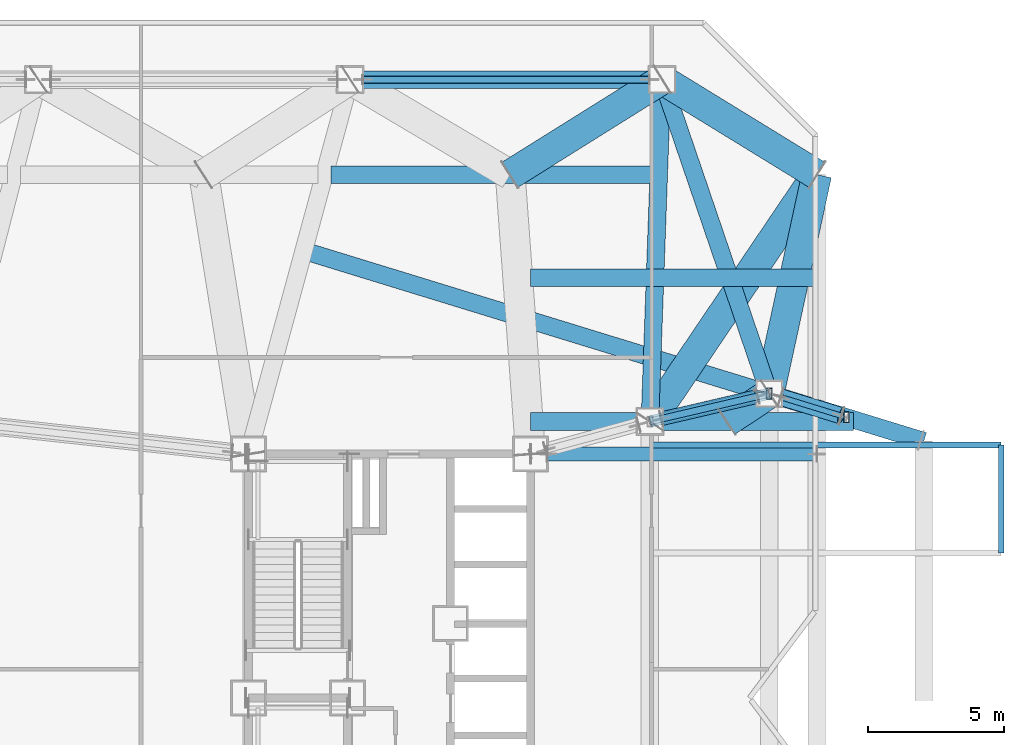
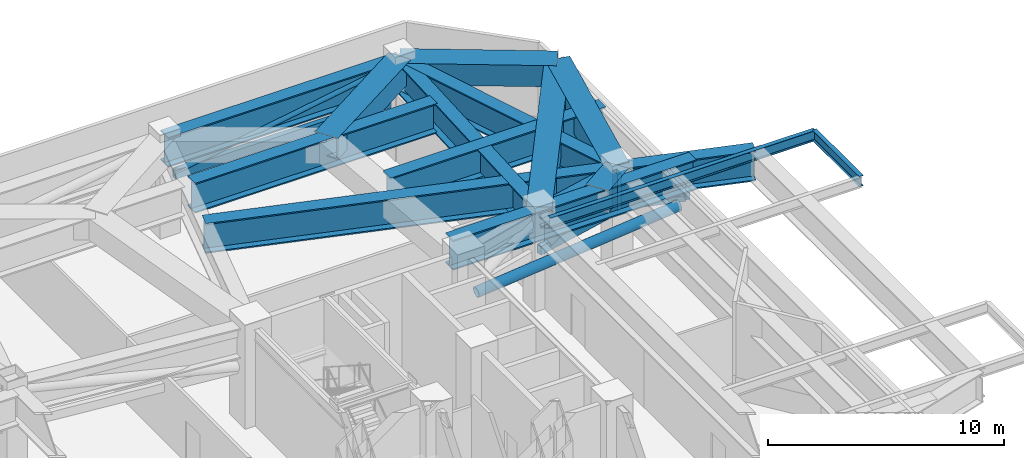
# One storey, part 5 of 18: 15 beams, 10 members.
"""IFC4 building model written with IfcOpenShell, lengths in metres."""

from ifc_helpers import new_model, si_unit, direction, frame, origin, origin_2d, place, context, subcontext, project, spatial, hollow_rectangle, hollow_circle, i_section, extrude, material, material_profile, profile_set, type_object, element, save


model = new_model("IFC4")

# Units and contexts
model_context = context("Model", 3, precision=1e-05, world=origin(), true_north=direction((0.0, 1.0)))
body_context = subcontext(model_context, "Body", "Model", "MODEL_VIEW")
ifc_project = project(units=[si_unit("LENGTHUNIT", "METRE"), si_unit("AREAUNIT", "SQUARE_METRE"), si_unit("VOLUMEUNIT", "CUBIC_METRE"), si_unit("PLANEANGLEUNIT", "RADIAN"), si_unit("MASSUNIT", "GRAM", prefix="KILO")], contexts=[model_context])

# Site, building, storey
site_placement = place(None, origin())
site = spatial("IfcSite", under=ifc_project, at=site_placement, CompositionType="ELEMENT")
building_placement = place(site_placement, origin())
building = spatial("IfcBuilding", under=site, at=building_placement, Name="Khamvora Tower", CompositionType="ELEMENT")
storey_placement = place(building_placement, frame((0.0, 0.0, 84.39990234375)))
storey = spatial("IfcBuildingStorey", under=building, at=storey_placement, Name="L21", CompositionType="ELEMENT", Elevation=84.39990234375)

# Beams
ifc_material_1 = material(Name="Steel S355", Category="steel")
ifc_material_profile_1 = material_profile(ifc_material_1, i_section(OverallWidth=0.208984375, OverallDepth=0.532958984375, WebThickness=0.010009765625, FlangeThickness=0.01611328125, FilletRadius=0.013916015625, at=origin_2d()), Name="W530x92")
ifc_profile_set_1 = profile_set([ifc_material_profile_1], Name="Steel S355")
beam_type_1 = type_object("IfcBeamType", Name="BM-SP-W530x92", PredefinedType="SPANDREL", material=ifc_profile_set_1)
beam_1_placement = place(storey_placement, frame((43.800048828125, 37.330078125, 4.714111328125), z_axis=(1.0, 0.0, 0.0), x_axis=(0.0, 1.0, 0.0)))
element("IfcBeam", 1, at=beam_1_placement, inside=storey, type_object=beam_type_1, Name="L21 continuous gallery cantilever girder L22-EL2-2", PredefinedType="SPANDREL", context=body_context, shape_type="SweptSolid", body=[
    extrude(i_section(OverallWidth=0.208984375, OverallDepth=0.532958984375, WebThickness=0.010009765625, FlangeThickness=0.01611328125, FilletRadius=0.013916015625, at=origin_2d()), origin(), (0.0, 0.0, 1.0), 12.949951171875),
])
beam_2_placement = place(storey_placement, frame((56.75, 33.35009765625, 4.714111328125), z_axis=(0.0, 1.0, 0.0), x_axis=(-1.0, 0.0, 0.0)))
element("IfcBeam", 2, at=beam_2_placement, inside=storey, type_object=beam_type_1, Name="L21 external gallery edge header beam L22-EL2", PredefinedType="SPANDREL", context=body_context, shape_type="SweptSolid", body=[
    extrude(i_section(OverallWidth=0.208984375, OverallDepth=0.532958984375, WebThickness=0.010009765625, FlangeThickness=0.01611328125, FilletRadius=0.013916015625, at=origin_2d()), origin(), (0.0, 0.0, 1.0), 3.97998046875),
])
ifc_material_2 = material(Name="Steel S460", Category="steel")
ifc_material_profile_2 = material_profile(ifc_material_2, hollow_rectangle(XDim=1.10009765625, YDim=1.10009765625, WallThickness=0.054931640625, at=origin_2d()), Name="BOX1100x1100x55")
ifc_profile_set_2 = profile_set([ifc_material_profile_2], Name="Steel S460")
beam_type_2 = type_object("IfcBeamType", Name="BM-TG-BOX1100", PredefinedType="BEAM", material=ifc_profile_set_2)
beam_3_placement = place(storey_placement, frame((44.25, 50.800048828125, 4.43017578125), z_axis=(-0.848002457836, -0.529992293815, 0.0), x_axis=(0.529992293815, -0.848002457836, 0.0)))
element("IfcBeam", 3, at=beam_3_placement, inside=storey, type_object=beam_type_2, Name="L21 Zone Transfer Truss frame transfer link N3.1", PredefinedType="BEAM", context=body_context, shape_type="SweptSolid", body=[
    extrude(hollow_rectangle(XDim=1.10009765625, YDim=1.10009765625, WallThickness=0.054931640625, at=origin_2d()), origin(), (0.0, 0.0, 1.0), 6.603759765625),
])
beam_4_placement = place(storey_placement, frame((44.25, 50.800048828125, 4.43017578125), z_axis=(0.852169226934, -0.523266288488, 0.0), x_axis=(0.523266288488, 0.852169226934, 0.0)))
element("IfcBeam", 4, at=beam_4_placement, inside=storey, type_object=beam_type_2, Name="L21 Zone Transfer Truss frame transfer link N4.1", PredefinedType="BEAM", context=body_context, shape_type="SweptSolid", body=[
    extrude(hollow_rectangle(XDim=1.10009765625, YDim=1.10009765625, WallThickness=0.054931640625, at=origin_2d()), origin(), (0.0, 0.0, 1.0), 6.688720703125),
])
beam_5_placement = place(storey_placement, frame((48.199951171875, 39.22509765625, 4.43017578125), z_axis=(0.211802737754, 0.977312437391, 0.0), x_axis=(-0.977312437391, 0.211802737754, 0.0)))
element("IfcBeam", 5, at=beam_5_placement, inside=storey, type_object=beam_type_2, Name="L21 Zone Transfer Truss frame transfer link N4.2", PredefinedType="BEAM", context=body_context, shape_type="SweptSolid", body=[
    extrude(hollow_rectangle(XDim=1.10009765625, YDim=1.10009765625, WallThickness=0.054931640625, at=origin_2d()), origin(), (0.0, 0.0, 1.0), 8.262451171875),
])
beam_6_placement = place(storey_placement, frame((43.800048828125, 38.199951171875, 4.43017578125), z_axis=(0.559931652101, 0.828538801128, 0.0), x_axis=(-0.828538801128, 0.559931652101, 0.0)))
element("IfcBeam", 6, at=beam_6_placement, inside=storey, type_object=beam_type_2, Name="L21 Zone Transfer Truss frame transfer link N4.3", PredefinedType="BEAM", context=body_context, shape_type="SweptSolid", body=[
    extrude(hollow_rectangle(XDim=1.10009765625, YDim=1.10009765625, WallThickness=0.054931640625, at=origin_2d()), origin(), (0.0, 0.0, 1.0), 10.9833984375),
])
beam_7_placement = place(storey_placement, frame((48.199951171875, 39.22509765625, 4.43017578125), z_axis=(-0.834085991555, -0.551634442989, 0.0), x_axis=(0.551634442989, -0.834085991555, 0.0)))
element("IfcBeam", 7, at=beam_7_placement, inside=storey, type_object=beam_type_2, Name="L21 Zone Transfer Truss frame transfer link M2.1", PredefinedType="BEAM", context=body_context, shape_type="SweptSolid", body=[
    extrude(hollow_rectangle(XDim=1.10009765625, YDim=1.10009765625, WallThickness=0.054931640625, at=origin_2d()), origin(), (0.0, 0.0, 1.0), 1.8583984375),
])
ifc_material_profile_3 = material_profile(ifc_material_2, i_section(OverallWidth=0.64990234375, OverallDepth=1.550048828125, WebThickness=0.0400390625, FlangeThickness=0.06494140625, at=origin_2d()), Name="PG1550x650x40x65")
ifc_profile_set_3 = profile_set([ifc_material_profile_3], Name="Steel S460")
beam_type_3 = type_object("IfcBeamType", Name="BM-TG-PG1800", PredefinedType="BEAM", material=ifc_profile_set_3)
beam_8_placement = place(storey_placement, frame((48.199951171875, 39.22509765625, 4.205078125), z_axis=(-0.322962893199, 0.946411628002, 0.0), x_axis=(-0.946411628002, -0.322962893199, 0.0)))
element("IfcBeam", 8, at=beam_8_placement, inside=storey, type_object=beam_type_3, Name="L21 perimeter spandrel beam E2-N4", PredefinedType="BEAM", context=body_context, shape_type="SweptSolid", body=[
    extrude(i_section(OverallWidth=0.64990234375, OverallDepth=1.550048828125, WebThickness=0.0400390625, FlangeThickness=0.06494140625, at=origin_2d()), origin(), (0.0, 0.0, 1.0), 12.23046875),
])
beam_9_placement = place(storey_placement, frame((44.25, 50.800048828125, 4.205078125), z_axis=(-1.0, 0.0, 0.0), x_axis=(0.0, -1.0, 0.0)))
element("IfcBeam", 9, at=beam_9_placement, inside=storey, type_object=beam_type_3, Name="L21 perimeter spandrel beam N4-N3", PredefinedType="BEAM", context=body_context, shape_type="SweptSolid", body=[
    extrude(i_section(OverallWidth=0.64990234375, OverallDepth=1.550048828125, WebThickness=0.0400390625, FlangeThickness=0.06494140625, at=origin_2d()), origin(), (0.0, 0.0, 1.0), 11.5),
])
beam_10_placement = place(storey_placement, frame((43.800048828125, 38.199951171875, 4.205078125), z_axis=(0.035687386423, 0.999363002342, 0.0), x_axis=(-0.999363002342, 0.035687386423, 0.0)))
element("IfcBeam", 10, at=beam_10_placement, inside=storey, type_object=beam_type_3, Name="L21 primary floor girder N4", PredefinedType="BEAM", context=body_context, shape_type="SweptSolid", body=[
    extrude(i_section(OverallWidth=0.64990234375, OverallDepth=1.550048828125, WebThickness=0.0400390625, FlangeThickness=0.06494140625, at=origin_2d()), origin(), (0.0, 0.0, 1.0), 12.608154296875),
])
beam_11_placement = place(storey_placement, frame((39.39990234375, 43.5, 4.205078125), z_axis=(1.0, 0.0, 0.0), x_axis=(0.0, 1.0, 0.0)))
element("IfcBeam", 11, at=beam_11_placement, inside=storey, type_object=beam_type_3, Name="L21 Zone Transfer east outrigger bracket girder N", PredefinedType="BEAM", context=body_context, shape_type="SweptSolid", body=[
    extrude(i_section(OverallWidth=0.64990234375, OverallDepth=1.550048828125, WebThickness=0.0400390625, FlangeThickness=0.06494140625, at=origin_2d()), origin(), (0.0, 0.0, 1.0), 10.550048828125),
])
beam_12_placement = place(storey_placement, frame((32.0390625, 47.300048828125, 4.205078125), z_axis=(1.0, 0.0, 0.0), x_axis=(0.0, 1.0, 0.0)))
element("IfcBeam", 12, at=beam_12_placement, inside=storey, type_object=beam_type_3, Name="L21 Zone Transfer Truss Box Girder N3", PredefinedType="BEAM", context=body_context, shape_type="SweptSolid", body=[
    extrude(i_section(OverallWidth=0.64990234375, OverallDepth=1.550048828125, WebThickness=0.0400390625, FlangeThickness=0.06494140625, at=origin_2d()), origin(), (0.0, 0.0, 1.0), 11.845947265625),
])
beam_13_placement = place(storey_placement, frame((31.037109375, 44.493896484375, 4.205078125), z_axis=(0.955965765305, -0.293478202878, 0.0), x_axis=(0.293478202878, 0.955965765305, 0.0)))
element("IfcBeam", 13, at=beam_13_placement, inside=storey, type_object=beam_type_3, Name="L21 Zone Transfer Truss Upper Box Girder E2", PredefinedType="BEAM", context=body_context, shape_type="SweptSolid", body=[
    extrude(i_section(OverallWidth=0.64990234375, OverallDepth=1.550048828125, WebThickness=0.0400390625, FlangeThickness=0.06494140625, at=origin_2d()), origin(), (0.0, 0.0, 1.0), 23.916015625),
])
beam_14_placement = place(storey_placement, frame((39.39990234375, 38.199951171875, 4.205078125), z_axis=(1.0, 0.0, 0.0), x_axis=(0.0, 1.0, 0.0)))
element("IfcBeam", 14, at=beam_14_placement, inside=storey, type_object=beam_type_3, Name="L21 Zone Transfer Truss Box Girder M2", PredefinedType="BEAM", context=body_context, shape_type="SweptSolid", body=[
    extrude(i_section(OverallWidth=0.64990234375, OverallDepth=1.550048828125, WebThickness=0.0400390625, FlangeThickness=0.06494140625, at=origin_2d()), origin(), (0.0, 0.0, 1.0), 11.898193359375),
])
ifc_material_profile_4 = material_profile(ifc_material_2, i_section(OverallWidth=0.423095703125, OverallDepth=0.93310546875, WebThickness=0.02392578125, FlangeThickness=0.04296875, FilletRadius=0.02001953125, at=origin_2d()), Name="W920x446")
ifc_profile_set_4 = profile_set([ifc_material_profile_4], Name="Steel S460")
beam_type_4 = type_object("IfcBeamType", Name="BM-TL-900", PredefinedType="BEAM", material=ifc_profile_set_4)
beam_15_placement = place(storey_placement, frame((43.800048828125, 38.199951171875, 4.51318359375), z_axis=(0.973914503503, 0.226915270237, 0.0), x_axis=(-0.226915270237, 0.973914503503, 0.0)))
element("IfcBeam", 15, at=beam_15_placement, inside=storey, type_object=beam_type_4, Name="L21 primary floor girder E2", PredefinedType="BEAM", context=body_context, shape_type="SweptSolid", body=[
    extrude(i_section(OverallWidth=0.423095703125, OverallDepth=0.93310546875, WebThickness=0.02392578125, FlangeThickness=0.04296875, FilletRadius=0.02001953125, at=origin_2d()), origin(), (0.0, 0.0, 1.0), 4.517822265625),
])

# Members
ifc_material_profile_5 = material_profile(ifc_material_2, hollow_circle(Radius=0.25390625, WallThickness=0.02490234375, at=origin_2d()), Name="CHS508x25")
ifc_profile_set_5 = profile_set([ifc_material_profile_5], Name="Steel S460")
member_type_1 = type_object("IfcMemberType", Name="MEM-BR-CHS508I", PredefinedType="BRACE", material=ifc_profile_set_5)
member_1_placement = place(storey_placement, frame((44.23193359375, 38.301025390625, 2.944091796875), z_axis=(0.899997179693, 0.209464960836, 0.382268893225), x_axis=(-0.226681136724, 0.973969025305, 0.0)))
element("IfcMember", 16, at=member_1_placement, inside=storey, type_object=member_type_1, Name="L21 Outrigger Truss Web Diagonal 8", PredefinedType="BRACE", context=body_context, shape_type="SweptSolid", body=[
    extrude(hollow_circle(Radius=0.25390625, WallThickness=0.02490234375, at=origin_2d()), origin(), (0.0, 0.0, 1.0), 3.928955078125),
])
member_2_placement = place(storey_placement, frame((40.027099609375, 37.0, 2.614013671875), z_axis=(0.994797859742, 0.0, 0.101868632326), x_axis=(0.0, 1.0, 0.0)))
element("IfcMember", 17, at=member_2_placement, inside=storey, type_object=member_type_1, Name="L21 Transfer Header Raking Strut EN", PredefinedType="BRACE", context=body_context, shape_type="SweptSolid", body=[
    extrude(hollow_circle(Radius=0.25390625, WallThickness=0.02490234375, at=origin_2d()), origin(), (0.0, 0.0, 1.0), 9.974853515625),
])
ifc_material_profile_6 = material_profile(ifc_material_2, hollow_circle(Radius=0.304931640625, WallThickness=0.028076171875, at=origin_2d()), Name="CHS610x28")
ifc_profile_set_6 = profile_set([ifc_material_profile_6], Name="Steel S460")
member_type_2 = type_object("IfcMemberType", Name="MEM-BR-CHS610", PredefinedType="BRACE", material=ifc_profile_set_6)
member_3_placement = place(storey_placement, frame((48.633056640625, 39.092041015625, 2.9990234375), z_axis=(0.901611875397, -0.276762804748, 0.332412960112), x_axis=(0.2934501599, 0.955974373953, 0.0)))
element("IfcMember", 18, at=member_3_placement, inside=storey, type_object=member_type_2, Name="L21 Zone Transfer Truss Web Brace E2", PredefinedType="BRACE", context=body_context, shape_type="SweptSolid", body=[
    extrude(hollow_circle(Radius=0.304931640625, WallThickness=0.028076171875, at=origin_2d()), origin(), (0.0, 0.0, 1.0), 2.461181640625),
])
ifc_material_profile_7 = material_profile(ifc_material_2, hollow_rectangle(XDim=0.25, YDim=0.449951171875, WallThickness=0.01611328125, at=origin_2d()), Name="RHS450x250x16")
ifc_profile_set_7 = profile_set([ifc_material_profile_7], Name="Steel S460")
member_type_3 = type_object("IfcMemberType", Name="MEM-CH-RHS450", PredefinedType="CHORD", material=ifc_profile_set_7)
for number, where, z_axis, x_axis, name in (
    (19, (43.800048828125, 38.199951171875, 4.630126953125), (0.973914503503, 0.226915270237, 0.0), (-0.226915270237, 0.973914503503, 0.0), "L21 Outrigger Truss Top Chord 8"),
    (20, (43.800048828125, 38.199951171875, 2.760009765625), (0.973914503503, 0.226915270237, 0.0), (-0.226915270237, 0.973914503503, 0.0), "L21 Outrigger Truss Bottom Chord 8"),
):
    element("IfcMember", number, at=place(storey_placement, frame(where, z_axis=z_axis, x_axis=x_axis)), inside=storey, type_object=member_type_3, Name=name, PredefinedType="CHORD", context=body_context, shape_type="SweptSolid", body=[
        extrude(hollow_rectangle(XDim=0.25, YDim=0.449951171875, WallThickness=0.01611328125, at=origin_2d()), origin(), (0.0, 0.0, 1.0), 4.517822265625),
    ])
member_4_placement = place(storey_placement, frame((33.22998046875, 50.800048828125, 2.760009765625), z_axis=(1.0, 0.0, 0.0), x_axis=(0.0, 1.0, 0.0)))
element("IfcMember", 21, at=member_4_placement, inside=storey, type_object=member_type_3, Name="L21 Perimeter Belt Truss Bottom Chord 2.3", PredefinedType="CHORD", context=body_context, shape_type="SweptSolid", body=[
    extrude(hollow_rectangle(XDim=0.25, YDim=0.449951171875, WallThickness=0.01611328125, at=origin_2d()), origin(), (0.0, 0.0, 1.0), 10.5400390625),
])
ifc_material_profile_8 = material_profile(ifc_material_1, hollow_rectangle(XDim=0.199951171875, YDim=0.300048828125, WallThickness=0.011962890625, at=origin_2d()), Name="RHS300x200x12")
ifc_profile_set_8 = profile_set([ifc_material_profile_8], Name="Steel S355")
member_type_4 = type_object("IfcMemberType", Name="MEM-PR-RHS300", PredefinedType="PURLIN", material=ifc_profile_set_8)
member_5_placement = place(storey_placement, frame((48.199951171875, 39.22509765625, 2.840087890625), z_axis=(0.955962959179, -0.293487343301, 0.0), x_axis=(0.293487343301, 0.955962959179, 0.0)))
element("IfcMember", 22, at=member_5_placement, inside=storey, type_object=member_type_4, Name="L21 Zone Transfer Truss Lower Chord E2", PredefinedType="PURLIN", context=body_context, shape_type="SweptSolid", body=[
    extrude(hollow_rectangle(XDim=0.199951171875, YDim=0.300048828125, WallThickness=0.011962890625, at=origin_2d()), origin(), (0.0, 0.0, 1.0), 2.9814453125),
])
ifc_material_profile_9 = material_profile(ifc_material_1, hollow_rectangle(XDim=0.199951171875, YDim=0.39990234375, WallThickness=0.01611328125, at=origin_2d()), Name="RHS400x200x16")
ifc_profile_set_9 = profile_set([ifc_material_profile_9], Name="Steel S355")
member_type_5 = type_object("IfcMemberType", Name="MEM-PS-RHS400", PredefinedType="POST", material=ifc_profile_set_9)
member_6_placement = place(storey_placement, frame((48.199951171875, 39.22509765625, 2.760009765625), z_axis=(0.0, 0.0, 1.0), x_axis=(1.0, 0.0, 0.0)))
element("IfcMember", 23, at=member_6_placement, inside=storey, type_object=member_type_5, Name="L21 Outrigger Truss Post 8", PredefinedType="POST", context=body_context, shape_type="SweptSolid", body=[
    extrude(hollow_rectangle(XDim=0.199951171875, YDim=0.39990234375, WallThickness=0.01611328125, at=origin_2d()), origin(), (0.0, 0.0, 1.0), 1.8701171875),
])
member_7_placement = place(storey_placement, frame((51.050048828125, 38.35009765625, 2.840087890625), z_axis=(0.0, 0.0, 1.0), x_axis=(1.0, 0.0, 0.0)))
element("IfcMember", 24, at=member_7_placement, inside=storey, type_object=member_type_5, Name="L21 Zone Transfer Truss Vertical Web Post E2", PredefinedType="POST", context=body_context, shape_type="SweptSolid", body=[
    extrude(hollow_rectangle(XDim=0.199951171875, YDim=0.39990234375, WallThickness=0.01611328125, at=origin_2d()), origin(), (0.0, 0.0, 1.0), 1.050048828125),
])
ifc_material_profile_10 = material_profile(ifc_material_1, hollow_circle(Radius=0.136474609375, WallThickness=0.011962890625, at=origin_2d()), Name="CHS273x12")
ifc_profile_set_10 = profile_set([ifc_material_profile_10], Name="Steel S355")
member_type_6 = type_object("IfcMemberType", Name="MEM-ST-CHS273", PredefinedType="STRUT", material=ifc_profile_set_10)
member_8_placement = place(storey_placement, frame((33.222900390625, 50.800048828125, 2.840087890625), z_axis=(0.985920209779, 0.0, 0.167216446405), x_axis=(0.0, 1.0, 0.0)))
element("IfcMember", 25, at=member_8_placement, inside=storey, type_object=member_type_6, Name="L21 plant perimeter tie strut 2", PredefinedType="STRUT", context=body_context, shape_type="SweptSolid", body=[
    extrude(hollow_circle(Radius=0.136474609375, WallThickness=0.011962890625, at=origin_2d()), origin(), (0.0, 0.0, 1.0), 10.704833984375),
])

save(model, "model.ifc")
